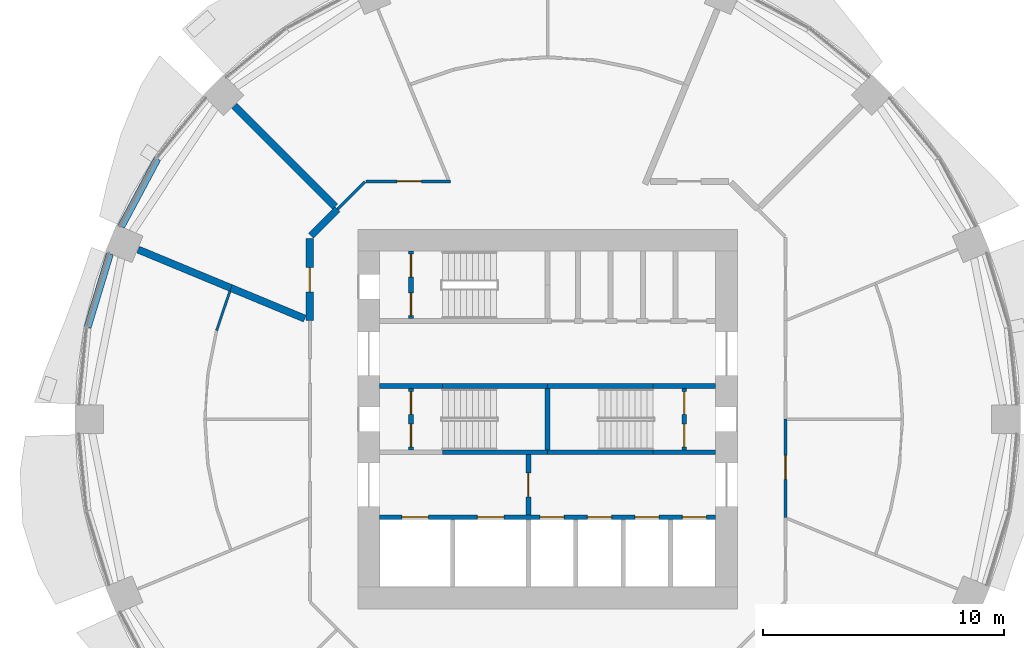
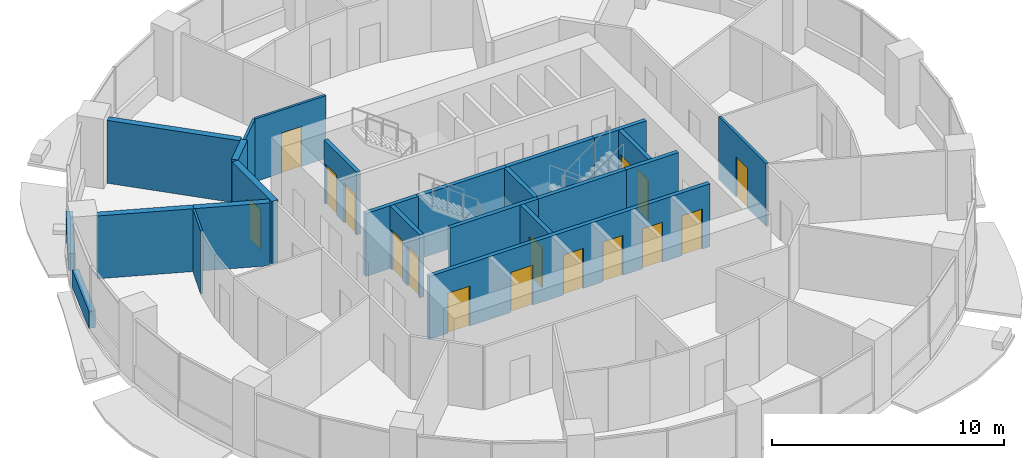
# One storey, part 9 of 15: 24 walls, 16 doors, 16 openings.
"""IFC4 building model written with IfcOpenShell, lengths in metres."""

from ifc_helpers import new_model, si_unit, direction, frame, frame_2d, origin, place, context, subcontext, project, spatial, rectangle, extrude, material, layer, layer_set, type_object, element, fill, save


model = new_model("IFC4")

# Units and contexts
model_context = context("Model", 3, precision=1e-05, world=origin(), true_north=direction((0.0, 1.0)))
body_context = subcontext(model_context, "Body", "Model", "MODEL_VIEW")
ifc_project = project(units=[si_unit("LENGTHUNIT", "METRE"), si_unit("AREAUNIT", "SQUARE_METRE"), si_unit("VOLUMEUNIT", "CUBIC_METRE"), si_unit("PLANEANGLEUNIT", "RADIAN"), si_unit("MASSUNIT", "GRAM", prefix="KILO")], contexts=[model_context])

# Site, building, storey
site_placement = place(None, origin())
site = spatial("IfcSite", under=ifc_project, at=site_placement, CompositionType="ELEMENT")
building_placement = place(site_placement, origin())
building = spatial("IfcBuilding", under=site, at=building_placement, Name="Polderwave Tower", CompositionType="ELEMENT")
storey_placement = place(building_placement, frame((0.0, 0.0, 55.39990234375)))
storey = spatial("IfcBuildingStorey", under=building, at=storey_placement, Name="L14", CompositionType="ELEMENT", Elevation=55.39990234375)

# Wall, opening, door
ifc_material_1 = material(Name="Insulated sandwich panel")
ifc_layer_1 = layer(ifc_material_1, 0.300048828125)
ifc_layer_set_1 = layer_set([ifc_layer_1], Name="Cold room wall 300 mm insulated panel")
wall_type_1 = type_object("IfcWallType", Name="Cold room wall 300 mm insulated panel", PredefinedType="PARTITIONING", material=ifc_layer_set_1)
wall_1_placement = place(storey_placement, frame((-9.8740234375, 4.08984375, 0.0), z_axis=(0.0, 0.0, 1.0), x_axis=(0.0, 1.0, 0.0)))
wall_1 = element("IfcWall", 1, at=wall_1_placement, inside=storey, type_object=wall_type_1, Name="IN-L14-W011", PredefinedType="PARTITIONING", context=body_context, shape_type="SweptSolid", body=[
    extrude(rectangle(XDim=3.419189453125, YDim=0.300048828125, at=frame_2d((1.70947265625, 0.0))), origin(), (0.0, 0.0, 1.0), 3.300048828125),
])
opening_1_placement = place(wall_1_placement, frame((1.199951171875, 0.0, 0.0)))
opening_1 = element("IfcOpeningElement", 2, at=opening_1_placement, cuts=wall_1, Name="Opening L14-D56", PredefinedType="OPENING", context=body_context, shape_type="SweptSolid", body=[
    extrude(rectangle(XDim=1.0, YDim=2.10009765625, at=frame_2d((0.5, 1.050048828125))), frame((0.0, 0.159912109375, 0.0), z_axis=(0.0, -1.0, 0.0), x_axis=(1.0, 0.0, 0.0)), (0.0, 0.0, 1.0), 0.320068359375),
])
ifc_material_2 = material(Name="Steel plant door leaf", Category="steel")
door_type_1 = type_object("IfcDoorType", Name="Plant door FD60 1000 x 2100 steel", OperationType="NOTDEFINED", PredefinedType="DOOR", material=ifc_material_2)
door_1_placement = place(opening_1_placement, origin())
door_1 = element("IfcDoor", 3, at=door_1_placement, inside=storey, type_object=door_type_1, Name="Door L14-D56", OperationType="SINGLE_SWING_LEFT", OverallHeight=2.10009765625, OverallWidth=1.0, PredefinedType="DOOR", context=body_context, shape_type="SweptSolid", body=[
    extrude(rectangle(XDim=1.0, YDim=2.10009765625, at=frame_2d((0.5, 1.050048828125))), frame((0.0, 0.02490234375, 0.0), z_axis=(0.0, -1.0, 0.0), x_axis=(1.0, 0.0, 0.0)), (0.0, 0.0, 1.0), 0.050048828125),
])
fill(opening_1, door_1)

# Walls
wall_2_placement = place(storey_placement, frame((-9.830078125, 7.614990234375, 0.0), z_axis=(0.0, 0.0, 1.0), x_axis=(0.70718471217, 0.707028841614, 0.0)))
element("IfcWall", 4, at=wall_2_placement, inside=storey, type_object=wall_type_1, Name="IN-L14-W012", PredefinedType="PARTITIONING", context=body_context, shape_type="SweptSolid", body=[
    extrude(rectangle(XDim=1.56640625, YDim=0.300048828125, at=frame_2d((0.783203125, 0.0))), origin(), (0.0, 0.0, 1.0), 3.300048828125),
])
wall_3_placement = place(storey_placement, frame((-8.82861328125, 8.82861328125, 0.0), z_axis=(0.0, 0.0, 1.0), x_axis=(-0.707106781187, 0.707106781187, 0.0)))
element("IfcWall", 5, at=wall_3_placement, inside=storey, type_object=wall_type_1, Name="IN-L14-W044", PredefinedType="PARTITIONING", context=body_context, shape_type="SweptSolid", body=[
    extrude(rectangle(XDim=5.914306640625, YDim=0.300048828125, at=frame_2d((2.95703125, 0.0))), origin(), (0.0, 0.0, 1.0), 3.300048828125),
])
wall_4_placement = place(storey_placement, frame((-10.081298828125, 4.17578125, 0.0), z_axis=(0.0, 0.0, 1.0), x_axis=(-0.923876033225, 0.382691880281, 0.0)))
element("IfcWall", 6, at=wall_4_placement, inside=storey, type_object=wall_type_1, Name="IN-L14-W045", PredefinedType="PARTITIONING", context=body_context, shape_type="SweptSolid", body=[
    extrude(rectangle(XDim=3.318115234375, YDim=0.300048828125, at=frame_2d((1.6591796875, 0.0))), origin(), (0.0, 0.0, 1.0), 3.300048828125),
])
wall_5_placement = place(storey_placement, frame((-13.146728515625, 5.445556640625, 0.0), z_axis=(0.0, 0.0, 1.0), x_axis=(-0.923873410436, 0.382698212028, 0.0)))
element("IfcWall", 7, at=wall_5_placement, inside=storey, type_object=wall_type_1, Name="IN-L14-W046", PredefinedType="PARTITIONING", context=body_context, shape_type="SweptSolid", body=[
    extrude(rectangle(XDim=4.170166015625, YDim=0.300048828125, at=frame_2d((2.0849609375, 0.0))), origin(), (0.0, 0.0, 1.0), 3.300048828125),
])
ifc_material_3 = material(Name="Concrete C50/60 (board-marked)", Category="concrete")
ifc_layer_2 = layer(ifc_material_3, 0.300048828125)
ifc_layer_set_2 = layer_set([ifc_layer_2], Name="Concrete spandrel upstand C50/60")
wall_type_2 = type_object("IfcWallType", Name="Concrete spandrel upstand C50/60", PredefinedType="SOLIDWALL", material=ifc_layer_set_2)
wall_6_placement = place(storey_placement, frame((-16.2041015625, 10.808837890625, 0.0), z_axis=(0.0, 0.0, 1.0), x_axis=(-0.471260138764, -0.881994263934, 0.0)))
element("IfcWall", 8, at=wall_6_placement, inside=storey, type_object=wall_type_2, Name="Spandrel L14 7b", PredefinedType="SOLIDWALL", context=body_context, shape_type="SweptSolid", body=[
    extrude(rectangle(XDim=3.1865234375, YDim=0.300048828125, at=frame_2d((1.59326171875, 0.0))), origin(), (0.0, 0.0, 1.0), 0.900146484375),
])
wall_7_placement = place(storey_placement, frame((-18.17529296875, 6.864501953125, 0.0), z_axis=(0.0, 0.0, 1.0), x_axis=(-0.290585541792, -0.956849017819, 0.0)))
element("IfcWall", 9, at=wall_7_placement, inside=storey, type_object=wall_type_2, Name="Spandrel L14 8a", PredefinedType="SOLIDWALL", context=body_context, shape_type="SweptSolid", body=[
    extrude(rectangle(XDim=3.1875, YDim=0.300048828125, at=frame_2d((1.59375, 0.0))), origin(), (0.0, 0.0, 1.0), 0.900146484375),
])

# Wall, opening, door
ifc_material_4 = material(Name="Gypsum board partition")
ifc_layer_3 = layer(ifc_material_4, 0.199951171875)
ifc_layer_set_3 = layer_set([ifc_layer_3], Name="Core room partition 200")
wall_type_3 = type_object("IfcWallType", Name="Core room partition 200", PredefinedType="PARTITIONING", material=ifc_layer_set_3)
wall_8_placement = place(storey_placement, frame((-0.800048828125, -3.97412109375, 0.0), z_axis=(0.0, 0.0, 1.0), x_axis=(0.0, 1.0, 0.0)))
wall_8 = element("IfcWall", 10, at=wall_8_placement, inside=storey, type_object=wall_type_3, Name="L14 fire-fighting lobby wall", PredefinedType="PARTITIONING", context=body_context, shape_type="SweptSolid", body=[
    extrude(rectangle(XDim=2.4990234375, YDim=0.199951171875, at=frame_2d((1.24951171875, 0.0))), origin(), (0.0, 0.0, 1.0), 3.300048828125),
])
opening_2_placement = place(wall_8_placement, frame((0.74951171875, 0.0, 0.0)))
opening_2 = element("IfcOpeningElement", 11, at=opening_2_placement, cuts=wall_8, Name="Opening L14-D13", PredefinedType="OPENING", context=body_context, shape_type="SweptSolid", body=[
    extrude(rectangle(XDim=1.0, YDim=2.10009765625, at=frame_2d((0.5, 1.050048828125))), frame((0.0, 0.10986328125, 0.0), z_axis=(0.0, -1.0, 0.0), x_axis=(1.0, 0.0, 0.0)), (0.0, 0.0, 1.0), 0.219970703125),
])
ifc_material_5 = material(Name="Steel fire door", Category="steel")
door_type_2 = type_object("IfcDoorType", Name="Lobby fire door 1000", OperationType="NOTDEFINED", PredefinedType="DOOR", material=ifc_material_5)
door_2_placement = place(opening_2_placement, frame((1.0, 0.0, 0.0), z_axis=(0.0, 0.0, 1.0), x_axis=(-1.0, 0.0, 0.0)))
door_2 = element("IfcDoor", 12, at=door_2_placement, inside=storey, type_object=door_type_2, Name="Fire-fighting lobby door", OperationType="SINGLE_SWING_LEFT", OverallHeight=2.10009765625, OverallWidth=1.0, PredefinedType="DOOR", context=body_context, shape_type="SweptSolid", body=[
    extrude(rectangle(XDim=1.0, YDim=2.10009765625, at=frame_2d((0.5, 1.050048828125))), frame((0.0, 0.02490234375, 0.0), z_axis=(0.0, -1.0, 0.0), x_axis=(1.0, 0.0, 0.0)), (0.0, 0.0, 1.0), 0.050048828125),
])
fill(opening_2, door_2)

# Wall, openings, doors
wall_9_placement = place(storey_placement, frame((-5.674072265625, -1.27490234375, 0.0), z_axis=(0.0, 0.0, 1.0), x_axis=(0.0, 1.0, 0.0)))
wall_9 = element("IfcWall", 13, at=wall_9_placement, inside=storey, type_object=wall_type_3, Name="L14 smoke lobby wall A", PredefinedType="PARTITIONING", context=body_context, shape_type="SweptSolid", body=[
    extrude(rectangle(XDim=2.5498046875, YDim=0.199951171875, at=frame_2d((1.27490234375, 0.0))), origin(), (0.0, 0.0, 1.0), 3.300048828125),
])
opening_3_placement = place(wall_9_placement, frame((0.125, 0.0, 0.0)))
opening_3 = element("IfcOpeningElement", 14, at=opening_3_placement, cuts=wall_9, Name="Opening L14-D07", PredefinedType="OPENING", context=body_context, shape_type="SweptSolid", body=[
    extrude(rectangle(XDim=0.949951171875, YDim=2.10009765625, at=frame_2d((0.47509765625, 1.050048828125))), frame((0.0, 0.10986328125, 0.0), z_axis=(0.0, -1.0, 0.0), x_axis=(1.0, 0.0, 0.0)), (0.0, 0.0, 1.0), 0.219970703125),
])
opening_4_placement = place(wall_9_placement, frame((1.47509765625, 0.0, 0.0)))
opening_4 = element("IfcOpeningElement", 15, at=opening_4_placement, cuts=wall_9, Name="Opening L14-D08", PredefinedType="OPENING", context=body_context, shape_type="SweptSolid", body=[
    extrude(rectangle(XDim=0.949951171875, YDim=2.10009765625, at=frame_2d((0.47509765625, 1.050048828125))), frame((0.0, 0.10986328125, 0.0), z_axis=(0.0, -1.0, 0.0), x_axis=(1.0, 0.0, 0.0)), (0.0, 0.0, 1.0), 0.219970703125),
])
door_type_3 = type_object("IfcDoorType", Name="Smoke lobby door 950", OperationType="NOTDEFINED", PredefinedType="DOOR", material=ifc_material_5)
door_3_placement = place(opening_3_placement, origin())
door_3 = element("IfcDoor", 16, at=door_3_placement, inside=storey, type_object=door_type_3, Name="Stair A smoke lobby inner door", OperationType="SINGLE_SWING_LEFT", OverallHeight=2.10009765625, OverallWidth=0.949951171875, PredefinedType="DOOR", context=body_context, shape_type="SweptSolid", body=[
    extrude(rectangle(XDim=0.949951171875, YDim=2.10009765625, at=frame_2d((0.47509765625, 1.050048828125))), frame((0.0, 0.02490234375, 0.0), z_axis=(0.0, -1.0, 0.0), x_axis=(1.0, 0.0, 0.0)), (0.0, 0.0, 1.0), 0.050048828125),
])
fill(opening_3, door_3)
door_4_placement = place(opening_4_placement, origin())
door_4 = element("IfcDoor", 17, at=door_4_placement, inside=storey, type_object=door_type_3, Name="Stair A smoke lobby inner door", OperationType="SINGLE_SWING_RIGHT", OverallHeight=2.10009765625, OverallWidth=0.949951171875, PredefinedType="DOOR", context=body_context, shape_type="SweptSolid", body=[
    extrude(rectangle(XDim=0.949951171875, YDim=2.10009765625, at=frame_2d((0.47509765625, 1.050048828125))), frame((0.0, 0.02490234375, 0.0), z_axis=(0.0, -1.0, 0.0), x_axis=(1.0, 0.0, 0.0)), (0.0, 0.0, 1.0), 0.050048828125),
])
fill(opening_4, door_4)

wall_10_placement = place(storey_placement, frame((5.674072265625, -1.27490234375, 0.0), z_axis=(0.0, 0.0, 1.0), x_axis=(0.0, 1.0, 0.0)))
wall_10 = element("IfcWall", 18, at=wall_10_placement, inside=storey, type_object=wall_type_3, Name="L14 smoke lobby wall B", PredefinedType="PARTITIONING", context=body_context, shape_type="SweptSolid", body=[
    extrude(rectangle(XDim=2.5498046875, YDim=0.199951171875, at=frame_2d((1.27490234375, 0.0))), origin(), (0.0, 0.0, 1.0), 3.300048828125),
])
opening_5_placement = place(wall_10_placement, frame((0.125, 0.0, 0.0)))
opening_5 = element("IfcOpeningElement", 19, at=opening_5_placement, cuts=wall_10, Name="Opening L14-D09", PredefinedType="OPENING", context=body_context, shape_type="SweptSolid", body=[
    extrude(rectangle(XDim=0.949951171875, YDim=2.10009765625, at=frame_2d((0.47509765625, 1.050048828125))), frame((0.0, 0.10986328125, 0.0), z_axis=(0.0, -1.0, 0.0), x_axis=(1.0, 0.0, 0.0)), (0.0, 0.0, 1.0), 0.219970703125),
])
opening_6_placement = place(wall_10_placement, frame((1.47509765625, 0.0, 0.0)))
opening_6 = element("IfcOpeningElement", 20, at=opening_6_placement, cuts=wall_10, Name="Opening L14-D10", PredefinedType="OPENING", context=body_context, shape_type="SweptSolid", body=[
    extrude(rectangle(XDim=0.949951171875, YDim=2.10009765625, at=frame_2d((0.47509765625, 1.050048828125))), frame((0.0, 0.10986328125, 0.0), z_axis=(0.0, -1.0, 0.0), x_axis=(1.0, 0.0, 0.0)), (0.0, 0.0, 1.0), 0.219970703125),
])
door_5_placement = place(opening_5_placement, frame((0.949951171875, 0.0, 0.0), z_axis=(0.0, 0.0, 1.0), x_axis=(-1.0, 0.0, 0.0)))
door_5 = element("IfcDoor", 21, at=door_5_placement, inside=storey, type_object=door_type_3, Name="Stair B smoke lobby inner door", OperationType="SINGLE_SWING_RIGHT", OverallHeight=2.10009765625, OverallWidth=0.949951171875, PredefinedType="DOOR", context=body_context, shape_type="SweptSolid", body=[
    extrude(rectangle(XDim=0.949951171875, YDim=2.10009765625, at=frame_2d((0.47509765625, 1.050048828125))), frame((0.0, 0.02490234375, 0.0), z_axis=(0.0, -1.0, 0.0), x_axis=(1.0, 0.0, 0.0)), (0.0, 0.0, 1.0), 0.050048828125),
])
fill(opening_5, door_5)
door_6_placement = place(opening_6_placement, frame((0.949951171875, 0.0, 0.0), z_axis=(0.0, 0.0, 1.0), x_axis=(-1.0, 0.0, 0.0)))
door_6 = element("IfcDoor", 22, at=door_6_placement, inside=storey, type_object=door_type_3, Name="Stair B smoke lobby inner door", OperationType="SINGLE_SWING_LEFT", OverallHeight=2.10009765625, OverallWidth=0.949951171875, PredefinedType="DOOR", context=body_context, shape_type="SweptSolid", body=[
    extrude(rectangle(XDim=0.949951171875, YDim=2.10009765625, at=frame_2d((0.47509765625, 1.050048828125))), frame((0.0, 0.02490234375, 0.0), z_axis=(0.0, -1.0, 0.0), x_axis=(1.0, 0.0, 0.0)), (0.0, 0.0, 1.0), 0.050048828125),
])
fill(opening_6, door_6)

wall_11_placement = place(storey_placement, frame((-5.674072265625, 4.174072265625, 0.0), z_axis=(0.0, 0.0, 1.0), x_axis=(0.0, 1.0, 0.0)))
wall_11 = element("IfcWall", 23, at=wall_11_placement, inside=storey, type_object=wall_type_3, Name="L14 smoke lobby wall C", PredefinedType="PARTITIONING", context=body_context, shape_type="SweptSolid", body=[
    extrude(rectangle(XDim=2.800048828125, YDim=0.199951171875, at=frame_2d((1.39990234375, 0.0))), origin(), (0.0, 0.0, 1.0), 3.300048828125),
])
opening_7_placement = place(wall_11_placement, frame((0.125, 0.0, 0.0)))
opening_7 = element("IfcOpeningElement", 24, at=opening_7_placement, cuts=wall_11, Name="Opening L14-D11", PredefinedType="OPENING", context=body_context, shape_type="SweptSolid", body=[
    extrude(rectangle(XDim=0.949951171875, YDim=2.10009765625, at=frame_2d((0.47509765625, 1.050048828125))), frame((0.0, 0.10986328125, 0.0), z_axis=(0.0, -1.0, 0.0), x_axis=(1.0, 0.0, 0.0)), (0.0, 0.0, 1.0), 0.219970703125),
])
opening_8_placement = place(wall_11_placement, frame((1.72509765625, 0.0, 0.0)))
opening_8 = element("IfcOpeningElement", 25, at=opening_8_placement, cuts=wall_11, Name="Opening L14-D12", PredefinedType="OPENING", context=body_context, shape_type="SweptSolid", body=[
    extrude(rectangle(XDim=0.949951171875, YDim=2.10009765625, at=frame_2d((0.47509765625, 1.050048828125))), frame((0.0, 0.10986328125, 0.0), z_axis=(0.0, -1.0, 0.0), x_axis=(1.0, 0.0, 0.0)), (0.0, 0.0, 1.0), 0.219970703125),
])
door_7_placement = place(opening_7_placement, origin())
door_7 = element("IfcDoor", 26, at=door_7_placement, inside=storey, type_object=door_type_3, Name="Stair C smoke lobby inner door", OperationType="SINGLE_SWING_LEFT", OverallHeight=2.10009765625, OverallWidth=0.949951171875, PredefinedType="DOOR", context=body_context, shape_type="SweptSolid", body=[
    extrude(rectangle(XDim=0.949951171875, YDim=2.10009765625, at=frame_2d((0.47509765625, 1.050048828125))), frame((0.0, 0.02490234375, 0.0), z_axis=(0.0, -1.0, 0.0), x_axis=(1.0, 0.0, 0.0)), (0.0, 0.0, 1.0), 0.050048828125),
])
fill(opening_7, door_7)
door_8_placement = place(opening_8_placement, origin())
door_8 = element("IfcDoor", 27, at=door_8_placement, inside=storey, type_object=door_type_3, Name="Stair C smoke lobby inner door", OperationType="SINGLE_SWING_RIGHT", OverallHeight=2.10009765625, OverallWidth=0.949951171875, PredefinedType="DOOR", context=body_context, shape_type="SweptSolid", body=[
    extrude(rectangle(XDim=0.949951171875, YDim=2.10009765625, at=frame_2d((0.47509765625, 1.050048828125))), frame((0.0, 0.02490234375, 0.0), z_axis=(0.0, -1.0, 0.0), x_axis=(1.0, 0.0, 0.0)), (0.0, 0.0, 1.0), 0.050048828125),
])
fill(opening_8, door_8)

ifc_material_6 = material(Name="Concrete C50/60", Category="concrete")
ifc_layer_4 = layer(ifc_material_6, 0.199951171875)
ifc_layer_set_4 = layer_set([ifc_layer_4], Name="Core web wall 200")
wall_type_4 = type_object("IfcWallType", Name="Core web wall 200", PredefinedType="SHEAR", material=ifc_layer_set_4)
wall_12_placement = place(storey_placement, frame((-6.97412109375, -4.073974609375, 0.0), z_axis=(0.0, 0.0, 1.0), x_axis=(1.0, 0.0, 0.0)))
wall_12 = element("IfcWall", 28, at=wall_12_placement, inside=storey, type_object=wall_type_4, Name="L14 south front wall", PredefinedType="SHEAR", context=body_context, shape_type="SweptSolid", body=[
    extrude(rectangle(XDim=13.9482421875, YDim=0.199951171875, at=frame_2d((6.97412109375, 0.0))), origin(), (0.0, 0.0, 1.0), 3.300048828125),
])
opening_9_placement = place(wall_12_placement, frame((0.91845703125, 0.0, 0.0)))
opening_9 = element("IfcOpeningElement", 29, at=opening_9_placement, cuts=wall_12, Name="Opening L14-D01", PredefinedType="OPENING", context=body_context, shape_type="SweptSolid", body=[
    extrude(rectangle(XDim=1.10009765625, YDim=2.10009765625, at=frame_2d((0.550048828125, 1.050048828125))), frame((0.0, 0.10986328125, 0.0), z_axis=(0.0, -1.0, 0.0), x_axis=(1.0, 0.0, 0.0)), (0.0, 0.0, 1.0), 0.219970703125),
])
opening_10_placement = place(wall_12_placement, frame((4.055419921875, 0.0, 0.0)))
opening_10 = element("IfcOpeningElement", 30, at=opening_10_placement, cuts=wall_12, Name="Opening L14-D02", PredefinedType="OPENING", context=body_context, shape_type="SweptSolid", body=[
    extrude(rectangle(XDim=1.10009765625, YDim=2.10009765625, at=frame_2d((0.550048828125, 1.050048828125))), frame((0.0, 0.10986328125, 0.0), z_axis=(0.0, -1.0, 0.0), x_axis=(1.0, 0.0, 0.0)), (0.0, 0.0, 1.0), 0.219970703125),
])
opening_11_placement = place(wall_12_placement, frame((6.658203125, 0.0, 0.0)))
opening_11 = element("IfcOpeningElement", 31, at=opening_11_placement, cuts=wall_12, Name="Opening L14-D03", PredefinedType="OPENING", context=body_context, shape_type="SweptSolid", body=[
    extrude(rectangle(XDim=1.0, YDim=2.10009765625, at=frame_2d((0.5, 1.050048828125))), frame((0.0, 0.10986328125, 0.0), z_axis=(0.0, -1.0, 0.0), x_axis=(1.0, 0.0, 0.0)), (0.0, 0.0, 1.0), 0.219970703125),
])
opening_12_placement = place(wall_12_placement, frame((8.626708984375, 0.0, 0.0)))
opening_12 = element("IfcOpeningElement", 32, at=opening_12_placement, cuts=wall_12, Name="Opening L14-D04", PredefinedType="OPENING", context=body_context, shape_type="SweptSolid", body=[
    extrude(rectangle(XDim=1.0, YDim=2.10009765625, at=frame_2d((0.5, 1.050048828125))), frame((0.0, 0.10986328125, 0.0), z_axis=(0.0, -1.0, 0.0), x_axis=(1.0, 0.0, 0.0)), (0.0, 0.0, 1.0), 0.219970703125),
])
opening_13_placement = place(wall_12_placement, frame((10.59521484375, 0.0, 0.0)))
opening_13 = element("IfcOpeningElement", 33, at=opening_13_placement, cuts=wall_12, Name="Opening L14-D05", PredefinedType="OPENING", context=body_context, shape_type="SweptSolid", body=[
    extrude(rectangle(XDim=1.0, YDim=2.10009765625, at=frame_2d((0.5, 1.050048828125))), frame((0.0, 0.10986328125, 0.0), z_axis=(0.0, -1.0, 0.0), x_axis=(1.0, 0.0, 0.0)), (0.0, 0.0, 1.0), 0.219970703125),
])
opening_14_placement = place(wall_12_placement, frame((12.563720703125, 0.0, 0.0)))
opening_14 = element("IfcOpeningElement", 34, at=opening_14_placement, cuts=wall_12, Name="Opening L14-D06", PredefinedType="OPENING", context=body_context, shape_type="SweptSolid", body=[
    extrude(rectangle(XDim=1.0, YDim=2.10009765625, at=frame_2d((0.5, 1.050048828125))), frame((0.0, 0.10986328125, 0.0), z_axis=(0.0, -1.0, 0.0), x_axis=(1.0, 0.0, 0.0)), (0.0, 0.0, 1.0), 0.219970703125),
])
ifc_material_7 = material(Name="Stainless steel", Category="steel")
door_type_4 = type_object("IfcDoorType", Name="Fire-fighting lift landing door 1100", OperationType="DOUBLE_DOOR_SLIDING", PredefinedType="DOOR", material=ifc_material_7)
door_9_placement = place(opening_9_placement, origin())
door_9 = element("IfcDoor", 35, at=door_9_placement, inside=storey, type_object=door_type_4, Name="Fire-fighting lift FF1 landing door", OperationType="DOUBLE_DOOR_SLIDING", OverallHeight=2.10009765625, OverallWidth=1.10009765625, PredefinedType="DOOR", context=body_context, shape_type="SweptSolid", body=[
    extrude(rectangle(XDim=1.10009765625, YDim=2.10009765625, at=frame_2d((0.550048828125, 1.050048828125))), frame((0.0, 0.02490234375, 0.0), z_axis=(0.0, -1.0, 0.0), x_axis=(1.0, 0.0, 0.0)), (0.0, 0.0, 1.0), 0.050048828125),
])
fill(opening_9, door_9)
door_10_placement = place(opening_10_placement, origin())
door_10 = element("IfcDoor", 36, at=door_10_placement, inside=storey, type_object=door_type_4, Name="Fire-fighting lift FF2 landing door", OperationType="DOUBLE_DOOR_SLIDING", OverallHeight=2.10009765625, OverallWidth=1.10009765625, PredefinedType="DOOR", context=body_context, shape_type="SweptSolid", body=[
    extrude(rectangle(XDim=1.10009765625, YDim=2.10009765625, at=frame_2d((0.550048828125, 1.050048828125))), frame((0.0, 0.02490234375, 0.0), z_axis=(0.0, -1.0, 0.0), x_axis=(1.0, 0.0, 0.0)), (0.0, 0.0, 1.0), 0.050048828125),
])
fill(opening_10, door_10)
door_type_5 = type_object("IfcDoorType", Name="Lift landing door 1000", OperationType="DOUBLE_DOOR_SLIDING", PredefinedType="DOOR", material=ifc_material_7)
door_11_placement = place(opening_11_placement, origin())
door_11 = element("IfcDoor", 37, at=door_11_placement, inside=storey, type_object=door_type_5, Name="Lift LL1 landing door", OperationType="DOUBLE_DOOR_SLIDING", OverallHeight=2.10009765625, OverallWidth=1.0, PredefinedType="DOOR", context=body_context, shape_type="SweptSolid", body=[
    extrude(rectangle(XDim=1.0, YDim=2.10009765625, at=frame_2d((0.5, 1.050048828125))), frame((0.0, 0.02490234375, 0.0), z_axis=(0.0, -1.0, 0.0), x_axis=(1.0, 0.0, 0.0)), (0.0, 0.0, 1.0), 0.050048828125),
])
fill(opening_11, door_11)
door_12_placement = place(opening_12_placement, origin())
door_12 = element("IfcDoor", 38, at=door_12_placement, inside=storey, type_object=door_type_5, Name="Lift LL2 landing door", OperationType="DOUBLE_DOOR_SLIDING", OverallHeight=2.10009765625, OverallWidth=1.0, PredefinedType="DOOR", context=body_context, shape_type="SweptSolid", body=[
    extrude(rectangle(XDim=1.0, YDim=2.10009765625, at=frame_2d((0.5, 1.050048828125))), frame((0.0, 0.02490234375, 0.0), z_axis=(0.0, -1.0, 0.0), x_axis=(1.0, 0.0, 0.0)), (0.0, 0.0, 1.0), 0.050048828125),
])
fill(opening_12, door_12)
door_13_placement = place(opening_13_placement, origin())
door_13 = element("IfcDoor", 39, at=door_13_placement, inside=storey, type_object=door_type_5, Name="Lift LL3 landing door", OperationType="DOUBLE_DOOR_SLIDING", OverallHeight=2.10009765625, OverallWidth=1.0, PredefinedType="DOOR", context=body_context, shape_type="SweptSolid", body=[
    extrude(rectangle(XDim=1.0, YDim=2.10009765625, at=frame_2d((0.5, 1.050048828125))), frame((0.0, 0.02490234375, 0.0), z_axis=(0.0, -1.0, 0.0), x_axis=(1.0, 0.0, 0.0)), (0.0, 0.0, 1.0), 0.050048828125),
])
fill(opening_13, door_13)
door_14_placement = place(opening_14_placement, origin())
door_14 = element("IfcDoor", 40, at=door_14_placement, inside=storey, type_object=door_type_5, Name="Lift LL4 landing door", OperationType="DOUBLE_DOOR_SLIDING", OverallHeight=2.10009765625, OverallWidth=1.0, PredefinedType="DOOR", context=body_context, shape_type="SweptSolid", body=[
    extrude(rectangle(XDim=1.0, YDim=2.10009765625, at=frame_2d((0.5, 1.050048828125))), frame((0.0, 0.02490234375, 0.0), z_axis=(0.0, -1.0, 0.0), x_axis=(1.0, 0.0, 0.0)), (0.0, 0.0, 1.0), 0.050048828125),
])
fill(opening_14, door_14)

# Walls
for number, where, z_axis, x_axis, name in (
    (41, (-4.3740234375, -1.375, 0.0), (0.0, 0.0, 1.0), (1.0, 0.0, 0.0), "L14 south stair wall 2"),
    (42, (0.0, -1.375, 0.0), (0.0, 0.0, 1.0), (1.0, 0.0, 0.0), "L14 south stair wall 3"),
):
    element("IfcWall", number, at=place(storey_placement, frame(where, z_axis=z_axis, x_axis=x_axis)), inside=storey, type_object=wall_type_4, Name=name, PredefinedType="SHEAR", context=body_context, shape_type="SweptSolid", body=[
        extrude(rectangle(XDim=4.3740234375, YDim=0.199951171875, at=frame_2d((2.18701171875, 0.0))), origin(), (0.0, 0.0, 1.0), 3.300048828125),
    ])
for number, where, z_axis, x_axis, name in (
    (43, (4.3740234375, -1.375, 0.0), (0.0, 0.0, 1.0), (1.0, 0.0, 0.0), "L14 south stair wall 4"),
    (44, (-6.97412109375, 1.375, 0.0), (0.0, 0.0, 1.0), (1.0, 0.0, 0.0), "L14 north stair wall 1"),
):
    element("IfcWall", number, at=place(storey_placement, frame(where, z_axis=z_axis, x_axis=x_axis)), inside=storey, type_object=wall_type_4, Name=name, PredefinedType="SHEAR", context=body_context, shape_type="SweptSolid", body=[
        extrude(rectangle(XDim=2.60009765625, YDim=0.199951171875, at=frame_2d((1.300048828125, 0.0))), origin(), (0.0, 0.0, 1.0), 3.300048828125),
    ])
for number, where, z_axis, x_axis, name in (
    (45, (-4.3740234375, 1.375, 0.0), (0.0, 0.0, 1.0), (1.0, 0.0, 0.0), "L14 north stair wall 2"),
    (46, (0.0, 1.375, 0.0), (0.0, 0.0, 1.0), (1.0, 0.0, 0.0), "L14 north stair wall 3"),
):
    element("IfcWall", number, at=place(storey_placement, frame(where, z_axis=z_axis, x_axis=x_axis)), inside=storey, type_object=wall_type_4, Name=name, PredefinedType="SHEAR", context=body_context, shape_type="SweptSolid", body=[
        extrude(rectangle(XDim=4.3740234375, YDim=0.199951171875, at=frame_2d((2.18701171875, 0.0))), origin(), (0.0, 0.0, 1.0), 3.300048828125),
    ])
wall_13_placement = place(storey_placement, frame((4.3740234375, 1.375, 0.0), z_axis=(0.0, 0.0, 1.0), x_axis=(1.0, 0.0, 0.0)))
element("IfcWall", 47, at=wall_13_placement, inside=storey, type_object=wall_type_4, Name="L14 north stair wall 4", PredefinedType="SHEAR", context=body_context, shape_type="SweptSolid", body=[
    extrude(rectangle(XDim=2.60009765625, YDim=0.199951171875, at=frame_2d((1.300048828125, 0.0))), origin(), (0.0, 0.0, 1.0), 3.300048828125),
])
wall_14_placement = place(storey_placement, frame((0.0, -1.27490234375, 0.0), z_axis=(0.0, 0.0, 1.0), x_axis=(0.0, 1.0, 0.0)))
element("IfcWall", 48, at=wall_14_placement, inside=storey, type_object=wall_type_4, Name="L14 wall between the stairs", PredefinedType="SHEAR", context=body_context, shape_type="SweptSolid", body=[
    extrude(rectangle(XDim=2.5498046875, YDim=0.199951171875, at=frame_2d((1.27490234375, 0.0))), origin(), (0.0, 0.0, 1.0), 3.300048828125),
])

# Wall, opening, door
ifc_material_8 = material(Name="Fire-resisting board on steel studs", Category="steel")
ifc_layer_5 = layer(ifc_material_8, 0.125)
ifc_layer_set_5 = layer_set([ifc_layer_5], Name="Corridor wall 125 mm EI 60")
wall_type_5 = type_object("IfcWallType", Name="Corridor wall 125 mm EI 60", PredefinedType="PARTITIONING", material=ifc_layer_set_5)
wall_15_placement = place(storey_placement, frame((9.8740234375, 0.0, 0.0), z_axis=(0.0, 0.0, 1.0), x_axis=(0.0, -1.0, 0.0)))
wall_15 = element("IfcWall", 49, at=wall_15_placement, inside=storey, type_object=wall_type_5, Name="IN-L14-W006", PredefinedType="PARTITIONING", context=body_context, shape_type="SweptSolid", body=[
    extrude(rectangle(XDim=4.08984375, YDim=0.125, at=frame_2d((2.044921875, 0.0))), origin(), (0.0, 0.0, 1.0), 3.300048828125),
])
opening_15_placement = place(wall_15_placement, frame((1.5, 0.0, 0.0)))
opening_15 = element("IfcOpeningElement", 50, at=opening_15_placement, cuts=wall_15, Name="Opening L14-D53", PredefinedType="OPENING", context=body_context, shape_type="SweptSolid", body=[
    extrude(rectangle(XDim=1.0, YDim=2.10009765625, at=frame_2d((0.5, 1.050048828125))), frame((0.0, 0.072509765625, 0.0), z_axis=(0.0, -1.0, 0.0), x_axis=(1.0, 0.0, 0.0)), (0.0, 0.0, 1.0), 0.14501953125),
])
ifc_material_9 = material(Name="Timber fire door leaf", Category="wood")
door_type_6 = type_object("IfcDoorType", Name="Fire door FD30S 1000 x 2100", OperationType="NOTDEFINED", PredefinedType="DOOR", material=ifc_material_9)
door_15_placement = place(opening_15_placement, origin())
door_15 = element("IfcDoor", 51, at=door_15_placement, inside=storey, type_object=door_type_6, Name="Door L14-D53", OperationType="SINGLE_SWING_LEFT", OverallHeight=2.10009765625, OverallWidth=1.0, PredefinedType="DOOR", context=body_context, shape_type="SweptSolid", body=[
    extrude(rectangle(XDim=1.0, YDim=2.10009765625, at=frame_2d((0.5, 1.050048828125))), frame((0.0, 0.02490234375, 0.0), z_axis=(0.0, -1.0, 0.0), x_axis=(1.0, 0.0, 0.0)), (0.0, 0.0, 1.0), 0.050048828125),
])
fill(opening_15, door_15)

# Wall
wall_16_placement = place(storey_placement, frame((-8.722412109375, 8.722412109375, 0.0), z_axis=(0.0, 0.0, 1.0), x_axis=(0.707030604857, 0.70718294931, 0.0)))
element("IfcWall", 52, at=wall_16_placement, inside=storey, type_object=wall_type_5, Name="IN-L14-W009", PredefinedType="PARTITIONING", context=body_context, shape_type="SweptSolid", body=[
    extrude(rectangle(XDim=1.6025390625, YDim=0.125, at=frame_2d((0.80126953125, 0.0))), origin(), (0.0, 0.0, 1.0), 3.300048828125),
])

# Wall, opening, door
wall_17_placement = place(storey_placement, frame((-7.545166015625, 9.8740234375, 0.0), z_axis=(0.0, 0.0, 1.0), x_axis=(1.0, 0.0, 0.0)))
wall_17 = element("IfcWall", 53, at=wall_17_placement, inside=storey, type_object=wall_type_5, Name="IN-L14-W010", PredefinedType="PARTITIONING", context=body_context, shape_type="SweptSolid", body=[
    extrude(rectangle(XDim=3.517822265625, YDim=0.125, at=frame_2d((1.7587890625, 0.0))), origin(), (0.0, 0.0, 1.0), 3.300048828125),
])
opening_16_placement = place(wall_17_placement, frame((1.300048828125, 0.0, 0.0)))
opening_16 = element("IfcOpeningElement", 54, at=opening_16_placement, cuts=wall_17, Name="Opening L14-D55", PredefinedType="OPENING", context=body_context, shape_type="SweptSolid", body=[
    extrude(rectangle(XDim=1.0, YDim=2.10009765625, at=frame_2d((0.5, 1.050048828125))), frame((0.0, 0.072509765625, 0.0), z_axis=(0.0, -1.0, 0.0), x_axis=(1.0, 0.0, 0.0)), (0.0, 0.0, 1.0), 0.14501953125),
])
door_16_placement = place(opening_16_placement, origin())
door_16 = element("IfcDoor", 55, at=door_16_placement, inside=storey, type_object=door_type_6, Name="Door L14-D55", OperationType="SINGLE_SWING_RIGHT", OverallHeight=2.10009765625, OverallWidth=1.0, PredefinedType="DOOR", context=body_context, shape_type="SweptSolid", body=[
    extrude(rectangle(XDim=1.0, YDim=2.10009765625, at=frame_2d((0.5, 1.050048828125))), frame((0.0, 0.02490234375, 0.0), z_axis=(0.0, -1.0, 0.0), x_axis=(1.0, 0.0, 0.0)), (0.0, 0.0, 1.0), 0.050048828125),
])
fill(opening_16, door_16)

# Wall
ifc_material_10 = material(Name="Plasterboard on steel studs", Category="steel")
ifc_layer_6 = layer(ifc_material_10, 0.10009765625)
ifc_layer_set_6 = layer_set([ifc_layer_6], Name="Partition 100 mm plasterboard on steel studs")
wall_type_6 = type_object("IfcWallType", Name="Partition 100 mm plasterboard on steel studs", PredefinedType="PARTITIONING", material=ifc_layer_set_6)
wall_18_placement = place(storey_placement, frame((-13.743896484375, 3.68603515625, 0.0), z_axis=(0.0, 0.0, 1.0), x_axis=(0.321250473512, 0.946994262532, 0.0)))
element("IfcWall", 56, at=wall_18_placement, inside=storey, type_object=wall_type_6, Name="IN-L14-W049", PredefinedType="PARTITIONING", context=body_context, shape_type="SweptSolid", body=[
    extrude(rectangle(XDim=1.70458984375, YDim=0.10009765625, at=frame_2d((0.852294921875, 0.0))), origin(), (0.0, 0.0, 1.0), 3.300048828125),
])

save(model, "model.ifc")
